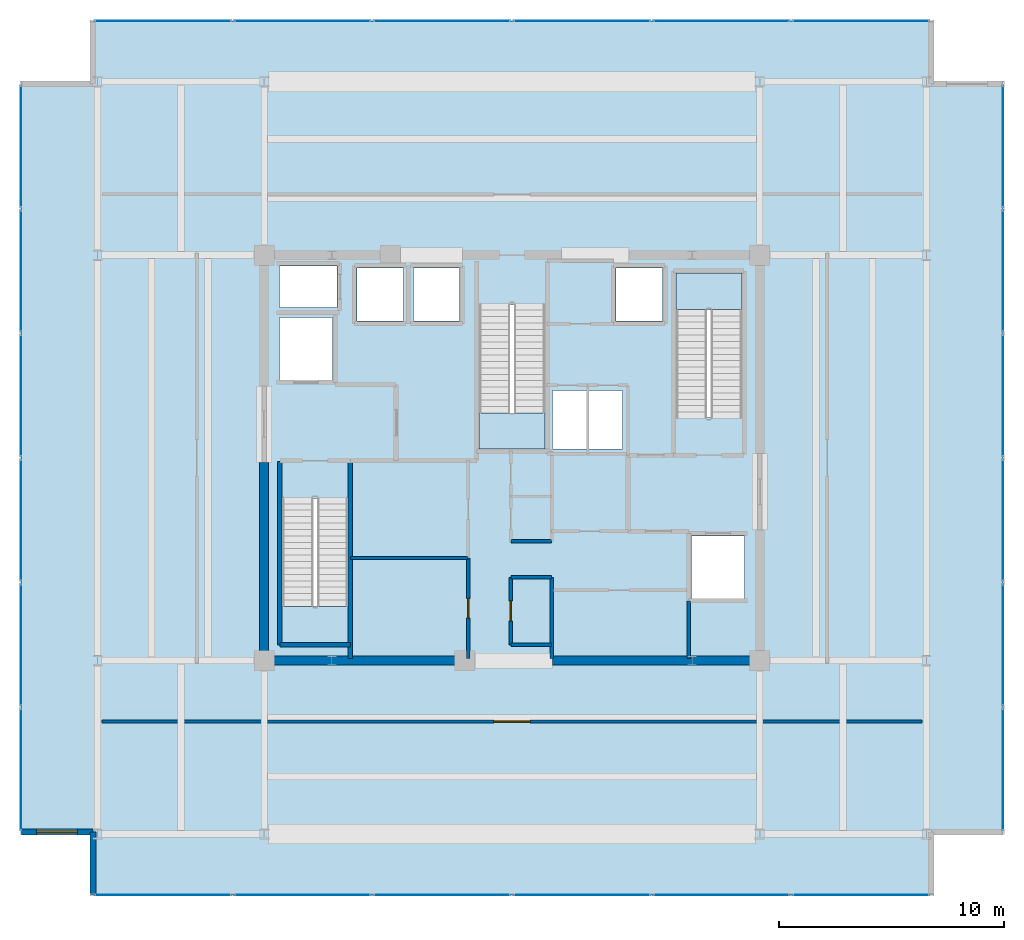
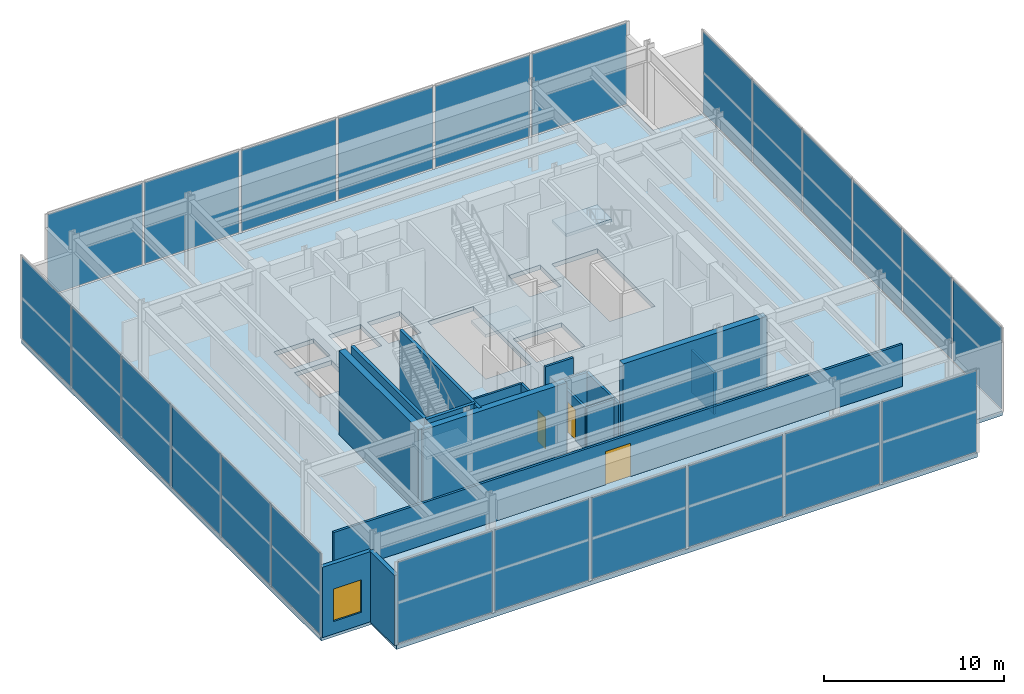
# One storey, part 17 of 21: 24 plates, 17 walls, 4 slabs, 3 doors, 1 window, 4 openings, 7 elements without a shape of their own.
"""IFC4 building model written with IfcOpenShell, lengths in metres."""

from ifc_helpers import new_model, si_unit, direction, frame, frame_2d, origin, origin_2d, place, context, subcontext, project, spatial, polyline, rectangle, outline, extrude, material, layer, layer_set, type_object, element, fill, aggregate, save


model = new_model("IFC4")

# Units and contexts
model_context = context("Model", 3, precision=1e-05, world=origin(), true_north=direction((0.0, 1.0)))
body_context = subcontext(model_context, "Body", "Model", "MODEL_VIEW")
ifc_project = project(units=[si_unit("LENGTHUNIT", "METRE"), si_unit("AREAUNIT", "SQUARE_METRE"), si_unit("VOLUMEUNIT", "CUBIC_METRE"), si_unit("PLANEANGLEUNIT", "RADIAN"), si_unit("MASSUNIT", "GRAM", prefix="KILO")], contexts=[model_context])

# Site, building, storey
site_placement = place(None, origin())
site = spatial("IfcSite", under=ifc_project, at=site_placement, CompositionType="ELEMENT")
building_placement = place(site_placement, origin())
building = spatial("IfcBuilding", under=site, at=building_placement, Name="Kovane Verandah Tower", CompositionType="ELEMENT")
storey_placement = place(building_placement, frame((0.0, 0.0, 342.800048828125)))
storey = spatial("IfcBuildingStorey", under=building, at=storey_placement, Name="L80", CompositionType="ELEMENT", Elevation=342.800048828125)

# Curtain wall, plates
ifc_material_1 = material(Name="Champagne Anodised Aluminium Frame with Low-E Clear Laminated Glass", Category="aluminium")
curtain_wall_type = type_object("IfcCurtainWallType", Name="CW-SYS-06-CROWN", PredefinedType="NOTDEFINED", material=ifc_material_1)
curtain_wall_1_placement = place(storey_placement, origin())
curtain_wall_1 = element("IfcCurtainWall", 1, at=curtain_wall_1_placement, inside=storey, type_object=curtain_wall_type, Name="L80 S Unitised Curtain Wall", PredefinedType="NOTDEFINED")
ifc_material_2 = material(Name="Clear Low-E Laminated Double Glazing", Category="glass")
ifc_layer_1 = layer(ifc_material_2, 0.031982421875)
ifc_layer_set_1 = layer_set([ifc_layer_1], Name="Clear Low-E Laminated Double Glazing")
plate_type = type_object("IfcPlateType", Name="PL-CW-VIS-32", PredefinedType="CURTAIN_PANEL", material=ifc_layer_set_1)
plate_1_placement = place(storey_placement, frame((24.5, 8.10009765625, 0.099853515625), z_axis=(0.0, 0.0, 1.0), x_axis=(1.0, 0.0, 0.0)))
plate_1 = element("IfcPlate", 2, at=plate_1_placement, type_object=plate_type, Name="L80 S Unitised Curtain Wall Full-Height Vision Panel 1", PredefinedType="CURTAIN_PANEL", context=body_context, shape_type="SweptSolid", body=[
    extrude(rectangle(XDim=6.06005859375, YDim=0.031982421875, at=origin_2d()), origin(), (0.0, 0.0, 1.0), 5.5),
])
plate_2_placement = place(storey_placement, frame((30.699951171875, 8.10009765625, 0.099853515625), z_axis=(0.0, 0.0, 1.0), x_axis=(1.0, 0.0, 0.0)))
plate_2 = element("IfcPlate", 3, at=plate_2_placement, type_object=plate_type, Name="L80 S Unitised Curtain Wall Full-Height Vision Panel 2", PredefinedType="CURTAIN_PANEL", context=body_context, shape_type="SweptSolid", body=[
    extrude(rectangle(XDim=6.06005859375, YDim=0.031982421875, at=origin_2d()), origin(), (0.0, 0.0, 1.0), 5.5),
])
plate_3_placement = place(storey_placement, frame((36.89990234375, 8.10009765625, 0.099853515625), z_axis=(0.0, 0.0, 1.0), x_axis=(1.0, 0.0, 0.0)))
plate_3 = element("IfcPlate", 4, at=plate_3_placement, type_object=plate_type, Name="L80 S Unitised Curtain Wall Full-Height Vision Panel 3", PredefinedType="CURTAIN_PANEL", context=body_context, shape_type="SweptSolid", body=[
    extrude(rectangle(XDim=6.06005859375, YDim=0.031982421875, at=origin_2d()), origin(), (0.0, 0.0, 1.0), 5.5),
])
plate_4_placement = place(storey_placement, frame((43.10009765625, 8.10009765625, 0.099853515625), z_axis=(0.0, 0.0, 1.0), x_axis=(1.0, 0.0, 0.0)))
plate_4 = element("IfcPlate", 5, at=plate_4_placement, type_object=plate_type, Name="L80 S Unitised Curtain Wall Full-Height Vision Panel 4", PredefinedType="CURTAIN_PANEL", context=body_context, shape_type="SweptSolid", body=[
    extrude(rectangle(XDim=6.06005859375, YDim=0.031982421875, at=origin_2d()), origin(), (0.0, 0.0, 1.0), 5.5),
])
plate_5_placement = place(storey_placement, frame((49.300048828125, 8.10009765625, 0.099853515625), z_axis=(0.0, 0.0, 1.0), x_axis=(1.0, 0.0, 0.0)))
plate_5 = element("IfcPlate", 6, at=plate_5_placement, type_object=plate_type, Name="L80 S Unitised Curtain Wall Full-Height Vision Panel 5", PredefinedType="CURTAIN_PANEL", context=body_context, shape_type="SweptSolid", body=[
    extrude(rectangle(XDim=6.06005859375, YDim=0.031982421875, at=origin_2d()), origin(), (0.0, 0.0, 1.0), 5.5),
])
plate_6_placement = place(storey_placement, frame((55.5, 8.10009765625, 0.099853515625), z_axis=(0.0, 0.0, 1.0), x_axis=(1.0, 0.0, 0.0)))
plate_6 = element("IfcPlate", 7, at=plate_6_placement, type_object=plate_type, Name="L80 S Unitised Curtain Wall Full-Height Vision Panel 6", PredefinedType="CURTAIN_PANEL", context=body_context, shape_type="SweptSolid", body=[
    extrude(rectangle(XDim=6.06005859375, YDim=0.031982421875, at=origin_2d()), origin(), (0.0, 0.0, 1.0), 5.5),
])
aggregate(curtain_wall_1, [plate_1, plate_2, plate_3, plate_4, plate_5, plate_6])

curtain_wall_2_placement = place(storey_placement, origin())
curtain_wall_2 = element("IfcCurtainWall", 8, at=curtain_wall_2_placement, inside=storey, type_object=curtain_wall_type, Name="L80 E Unitised Curtain Wall", PredefinedType="NOTDEFINED")
plate_7_placement = place(storey_placement, frame((61.800048828125, 13.666748046875, 0.099853515625), z_axis=(0.0, 0.0, 1.0), x_axis=(0.0, 1.0, 0.0)))
plate_7 = element("IfcPlate", 9, at=plate_7_placement, type_object=plate_type, Name="L80 E Unitised Curtain Wall Full-Height Vision Panel 1", PredefinedType="CURTAIN_PANEL", context=body_context, shape_type="SweptSolid", body=[
    extrude(rectangle(XDim=5.393310546875, YDim=0.031982421875, at=origin_2d()), origin(), (0.0, 0.0, 1.0), 5.5),
])
plate_8_placement = place(storey_placement, frame((61.800048828125, 19.199951171875, 0.099853515625), z_axis=(0.0, 0.0, 1.0), x_axis=(0.0, 1.0, 0.0)))
plate_8 = element("IfcPlate", 10, at=plate_8_placement, type_object=plate_type, Name="L80 E Unitised Curtain Wall Full-Height Vision Panel 2", PredefinedType="CURTAIN_PANEL", context=body_context, shape_type="SweptSolid", body=[
    extrude(rectangle(XDim=5.393310546875, YDim=0.031982421875, at=origin_2d()), origin(), (0.0, 0.0, 1.0), 5.5),
])
plate_9_placement = place(storey_placement, frame((61.800048828125, 24.7333984375, 0.099853515625), z_axis=(0.0, 0.0, 1.0), x_axis=(0.0, 1.0, 0.0)))
plate_9 = element("IfcPlate", 11, at=plate_9_placement, type_object=plate_type, Name="L80 E Unitised Curtain Wall Full-Height Vision Panel 3", PredefinedType="CURTAIN_PANEL", context=body_context, shape_type="SweptSolid", body=[
    extrude(rectangle(XDim=5.393310546875, YDim=0.031982421875, at=origin_2d()), origin(), (0.0, 0.0, 1.0), 5.5),
])
plate_10_placement = place(storey_placement, frame((61.800048828125, 30.2666015625, 0.099853515625), z_axis=(0.0, 0.0, 1.0), x_axis=(0.0, 1.0, 0.0)))
plate_10 = element("IfcPlate", 12, at=plate_10_placement, type_object=plate_type, Name="L80 E Unitised Curtain Wall Full-Height Vision Panel 4", PredefinedType="CURTAIN_PANEL", context=body_context, shape_type="SweptSolid", body=[
    extrude(rectangle(XDim=5.393310546875, YDim=0.031982421875, at=origin_2d()), origin(), (0.0, 0.0, 1.0), 5.5),
])
plate_11_placement = place(storey_placement, frame((61.800048828125, 35.800048828125, 0.099853515625), z_axis=(0.0, 0.0, 1.0), x_axis=(0.0, 1.0, 0.0)))
plate_11 = element("IfcPlate", 13, at=plate_11_placement, type_object=plate_type, Name="L80 E Unitised Curtain Wall Full-Height Vision Panel 5", PredefinedType="CURTAIN_PANEL", context=body_context, shape_type="SweptSolid", body=[
    extrude(rectangle(XDim=5.393310546875, YDim=0.031982421875, at=origin_2d()), origin(), (0.0, 0.0, 1.0), 5.5),
])
plate_12_placement = place(storey_placement, frame((61.800048828125, 41.333251953125, 0.099853515625), z_axis=(0.0, 0.0, 1.0), x_axis=(0.0, 1.0, 0.0)))
plate_12 = element("IfcPlate", 14, at=plate_12_placement, type_object=plate_type, Name="L80 E Unitised Curtain Wall Full-Height Vision Panel 6", PredefinedType="CURTAIN_PANEL", context=body_context, shape_type="SweptSolid", body=[
    extrude(rectangle(XDim=5.393310546875, YDim=0.031982421875, at=origin_2d()), origin(), (0.0, 0.0, 1.0), 5.5),
])
aggregate(curtain_wall_2, [plate_7, plate_8, plate_9, plate_10, plate_11, plate_12])

curtain_wall_3_placement = place(storey_placement, origin())
curtain_wall_3 = element("IfcCurtainWall", 15, at=curtain_wall_3_placement, inside=storey, type_object=curtain_wall_type, Name="L80 N Unitised Curtain Wall", PredefinedType="NOTDEFINED")
plate_13_placement = place(storey_placement, frame((55.5, 46.89990234375, 0.099853515625), z_axis=(0.0, 0.0, 1.0), x_axis=(-1.0, 0.0, 0.0)))
plate_13 = element("IfcPlate", 16, at=plate_13_placement, type_object=plate_type, Name="L80 N Unitised Curtain Wall Full-Height Vision Panel 1", PredefinedType="CURTAIN_PANEL", context=body_context, shape_type="SweptSolid", body=[
    extrude(rectangle(XDim=6.06005859375, YDim=0.031982421875, at=origin_2d()), origin(), (0.0, 0.0, 1.0), 5.5),
])
plate_14_placement = place(storey_placement, frame((49.300048828125, 46.89990234375, 0.099853515625), z_axis=(0.0, 0.0, 1.0), x_axis=(-1.0, 0.0, 0.0)))
plate_14 = element("IfcPlate", 17, at=plate_14_placement, type_object=plate_type, Name="L80 N Unitised Curtain Wall Full-Height Vision Panel 2", PredefinedType="CURTAIN_PANEL", context=body_context, shape_type="SweptSolid", body=[
    extrude(rectangle(XDim=6.06005859375, YDim=0.031982421875, at=origin_2d()), origin(), (0.0, 0.0, 1.0), 5.5),
])
plate_15_placement = place(storey_placement, frame((43.10009765625, 46.89990234375, 0.099853515625), z_axis=(0.0, 0.0, 1.0), x_axis=(-1.0, 0.0, 0.0)))
plate_15 = element("IfcPlate", 18, at=plate_15_placement, type_object=plate_type, Name="L80 N Unitised Curtain Wall Full-Height Vision Panel 3", PredefinedType="CURTAIN_PANEL", context=body_context, shape_type="SweptSolid", body=[
    extrude(rectangle(XDim=6.06005859375, YDim=0.031982421875, at=origin_2d()), origin(), (0.0, 0.0, 1.0), 5.5),
])
plate_16_placement = place(storey_placement, frame((36.89990234375, 46.89990234375, 0.099853515625), z_axis=(0.0, 0.0, 1.0), x_axis=(-1.0, 0.0, 0.0)))
plate_16 = element("IfcPlate", 19, at=plate_16_placement, type_object=plate_type, Name="L80 N Unitised Curtain Wall Full-Height Vision Panel 4", PredefinedType="CURTAIN_PANEL", context=body_context, shape_type="SweptSolid", body=[
    extrude(rectangle(XDim=6.06005859375, YDim=0.031982421875, at=origin_2d()), origin(), (0.0, 0.0, 1.0), 5.5),
])
plate_17_placement = place(storey_placement, frame((30.699951171875, 46.89990234375, 0.099853515625), z_axis=(0.0, 0.0, 1.0), x_axis=(-1.0, 0.0, 0.0)))
plate_17 = element("IfcPlate", 20, at=plate_17_placement, type_object=plate_type, Name="L80 N Unitised Curtain Wall Full-Height Vision Panel 5", PredefinedType="CURTAIN_PANEL", context=body_context, shape_type="SweptSolid", body=[
    extrude(rectangle(XDim=6.06005859375, YDim=0.031982421875, at=origin_2d()), origin(), (0.0, 0.0, 1.0), 5.5),
])
plate_18_placement = place(storey_placement, frame((24.5, 46.89990234375, 0.099853515625), z_axis=(0.0, 0.0, 1.0), x_axis=(-1.0, 0.0, 0.0)))
plate_18 = element("IfcPlate", 21, at=plate_18_placement, type_object=plate_type, Name="L80 N Unitised Curtain Wall Full-Height Vision Panel 6", PredefinedType="CURTAIN_PANEL", context=body_context, shape_type="SweptSolid", body=[
    extrude(rectangle(XDim=6.06005859375, YDim=0.031982421875, at=origin_2d()), origin(), (0.0, 0.0, 1.0), 5.5),
])
aggregate(curtain_wall_3, [plate_13, plate_14, plate_15, plate_16, plate_17, plate_18])

curtain_wall_4_placement = place(storey_placement, origin())
curtain_wall_4 = element("IfcCurtainWall", 22, at=curtain_wall_4_placement, inside=storey, type_object=curtain_wall_type, Name="L80 W Unitised Curtain Wall", PredefinedType="NOTDEFINED")
plate_19_placement = place(storey_placement, frame((18.199951171875, 41.333251953125, 0.099853515625), z_axis=(0.0, 0.0, 1.0), x_axis=(0.0, -1.0, 0.0)))
plate_19 = element("IfcPlate", 23, at=plate_19_placement, type_object=plate_type, Name="L80 W Unitised Curtain Wall Full-Height Vision Panel 1", PredefinedType="CURTAIN_PANEL", context=body_context, shape_type="SweptSolid", body=[
    extrude(rectangle(XDim=5.393310546875, YDim=0.031982421875, at=origin_2d()), origin(), (0.0, 0.0, 1.0), 5.5),
])
plate_20_placement = place(storey_placement, frame((18.199951171875, 35.800048828125, 0.099853515625), z_axis=(0.0, 0.0, 1.0), x_axis=(0.0, -1.0, 0.0)))
plate_20 = element("IfcPlate", 24, at=plate_20_placement, type_object=plate_type, Name="L80 W Unitised Curtain Wall Full-Height Vision Panel 2", PredefinedType="CURTAIN_PANEL", context=body_context, shape_type="SweptSolid", body=[
    extrude(rectangle(XDim=5.393310546875, YDim=0.031982421875, at=origin_2d()), origin(), (0.0, 0.0, 1.0), 5.5),
])
plate_21_placement = place(storey_placement, frame((18.199951171875, 30.2666015625, 0.099853515625), z_axis=(0.0, 0.0, 1.0), x_axis=(0.0, -1.0, 0.0)))
plate_21 = element("IfcPlate", 25, at=plate_21_placement, type_object=plate_type, Name="L80 W Unitised Curtain Wall Full-Height Vision Panel 3", PredefinedType="CURTAIN_PANEL", context=body_context, shape_type="SweptSolid", body=[
    extrude(rectangle(XDim=5.393310546875, YDim=0.031982421875, at=origin_2d()), origin(), (0.0, 0.0, 1.0), 5.5),
])
plate_22_placement = place(storey_placement, frame((18.199951171875, 24.7333984375, 0.099853515625), z_axis=(0.0, 0.0, 1.0), x_axis=(0.0, -1.0, 0.0)))
plate_22 = element("IfcPlate", 26, at=plate_22_placement, type_object=plate_type, Name="L80 W Unitised Curtain Wall Full-Height Vision Panel 4", PredefinedType="CURTAIN_PANEL", context=body_context, shape_type="SweptSolid", body=[
    extrude(rectangle(XDim=5.393310546875, YDim=0.031982421875, at=origin_2d()), origin(), (0.0, 0.0, 1.0), 5.5),
])
plate_23_placement = place(storey_placement, frame((18.199951171875, 19.199951171875, 0.099853515625), z_axis=(0.0, 0.0, 1.0), x_axis=(0.0, -1.0, 0.0)))
plate_23 = element("IfcPlate", 27, at=plate_23_placement, type_object=plate_type, Name="L80 W Unitised Curtain Wall Full-Height Vision Panel 5", PredefinedType="CURTAIN_PANEL", context=body_context, shape_type="SweptSolid", body=[
    extrude(rectangle(XDim=5.393310546875, YDim=0.031982421875, at=origin_2d()), origin(), (0.0, 0.0, 1.0), 5.5),
])
plate_24_placement = place(storey_placement, frame((18.199951171875, 13.666748046875, 0.099853515625), z_axis=(0.0, 0.0, 1.0), x_axis=(0.0, -1.0, 0.0)))
plate_24 = element("IfcPlate", 28, at=plate_24_placement, type_object=plate_type, Name="L80 W Unitised Curtain Wall Full-Height Vision Panel 6", PredefinedType="CURTAIN_PANEL", context=body_context, shape_type="SweptSolid", body=[
    extrude(rectangle(XDim=5.393310546875, YDim=0.031982421875, at=origin_2d()), origin(), (0.0, 0.0, 1.0), 5.5),
])
aggregate(curtain_wall_4, [plate_19, plate_20, plate_21, plate_22, plate_23, plate_24])

# Slab
ifc_material_3 = material(Name="Concrete C60/75", Category="concrete")
ifc_layer_2 = layer(ifc_material_3, 0.300048828125)
ifc_layer_set_2 = layer_set([ifc_layer_2], Name="Concrete C60/75")
slab_type_1 = type_object("IfcSlabType", Name="SL-HVY-300", PredefinedType="FLOOR", material=ifc_layer_set_2)
slab_1_placement = place(storey_placement, frame((0.0, 0.0, -0.300048828125)))
element("IfcSlab", 29, at=slab_1_placement, inside=storey, type_object=slab_type_1, Name="L80 Structural Floor Slab", PredefinedType="FLOOR", context=body_context, shape_type="SweptSolid", body=[
    extrude(outline(polyline([(21.39990234375, 8.10009765625), (58.60009765625, 8.10009765625), (58.60009765625, 10.89990234375), (61.800048828125, 10.89990234375), (61.800048828125, 44.10009765625), (58.60009765625, 44.10009765625), (58.60009765625, 46.89990234375), (21.39990234375, 46.89990234375), (21.39990234375, 44.10009765625), (18.199951171875, 44.10009765625), (18.199951171875, 10.89990234375), (21.39990234375, 10.89990234375), (21.39990234375, 8.10009765625)]), holes=[polyline([(29.800048828125, 19.300048828125), (32.719970703125, 19.300048828125), (32.719970703125, 25.705078125), (29.800048828125, 25.705078125), (29.800048828125, 19.300048828125)]), polyline([(47.280029296875, 29.294921875), (50.199951171875, 29.294921875), (50.199951171875, 35.699951171875), (47.280029296875, 35.699951171875), (47.280029296875, 29.294921875)]), polyline([(38.5400390625, 27.89990234375), (41.4599609375, 27.89990234375), (41.4599609375, 34.304931640625), (38.5400390625, 34.304931640625), (38.5400390625, 27.89990234375)]), polyline([(29.669921875, 30.969970703125), (32.030029296875, 30.969970703125), (32.030029296875, 33.72998046875), (29.669921875, 33.72998046875), (29.669921875, 30.969970703125)]), polyline([(47.969970703125, 21.27001953125), (50.330078125, 21.27001953125), (50.330078125, 24.030029296875), (47.969970703125, 24.030029296875), (47.969970703125, 21.27001953125)]), polyline([(29.669921875, 34.169921875), (32.22998046875, 34.169921875), (32.22998046875, 36.030029296875), (29.669921875, 36.030029296875), (29.669921875, 34.169921875)]), polyline([(33.1201171875, 33.570068359375), (35.179931640625, 33.570068359375), (35.179931640625, 35.929931640625), (33.1201171875, 35.929931640625), (33.1201171875, 33.570068359375)]), polyline([(35.6201171875, 33.570068359375), (37.679931640625, 33.570068359375), (37.679931640625, 35.929931640625), (35.6201171875, 35.929931640625), (35.6201171875, 33.570068359375)]), polyline([(44.6201171875, 33.570068359375), (46.679931640625, 33.570068359375), (46.679931640625, 35.929931640625), (44.6201171875, 35.929931640625), (44.6201171875, 33.570068359375)]), polyline([(41.800048828125, 27.89990234375), (44.89990234375, 27.89990234375), (44.89990234375, 30.5), (41.800048828125, 30.5), (41.800048828125, 27.89990234375)])]), origin(), (0.0, 0.0, 1.0), 0.300048828125),
])

# Stair, slab
ifc_material_4 = material(Name="Concrete C45/55", Category="concrete")
stair_type = type_object("IfcStairType", Name="ST-CORE-1380", PredefinedType="HALF_TURN_STAIR", material=ifc_material_4)
stair_1_placement = place(storey_placement, origin())
stair_1 = element("IfcStair", 30, at=stair_1_placement, inside=storey, type_object=stair_type, Name="L80 Exit Stair ST-01", PredefinedType="HALF_TURN_STAIR")
ifc_layer_3 = layer(ifc_material_4, 0.199951171875)
ifc_layer_set_3 = layer_set([ifc_layer_3], Name="Concrete C45/55")
slab_type_2 = type_object("IfcSlabType", Name="SL-LAND-200", PredefinedType="LANDING", material=ifc_layer_set_3)
slab_2_placement = place(storey_placement, frame((0.0, 0.0, 2.800048828125)))
slab_2 = element("IfcSlab", 31, at=slab_2_placement, type_object=slab_type_2, Name="ST-01 landing 1", PredefinedType="LANDING", context=body_context, shape_type="SweptSolid", body=[
    extrude(outline(polyline([(29.800048828125, 20.905029296875), (29.800048828125, 19.300048828125), (32.719970703125, 19.300048828125), (32.719970703125, 20.905029296875), (29.800048828125, 20.905029296875)])), origin(), (0.0, 0.0, 1.0), 0.199951171875),
])
aggregate(stair_1, [slab_2])

stair_2_placement = place(storey_placement, origin())
stair_2 = element("IfcStair", 32, at=stair_2_placement, inside=storey, type_object=stair_type, Name="L80 Exit Stair ST-02", PredefinedType="HALF_TURN_STAIR")
slab_3_placement = place(storey_placement, frame((0.0, 0.0, 2.800048828125)))
slab_3 = element("IfcSlab", 33, at=slab_3_placement, type_object=slab_type_2, Name="ST-02 landing 1", PredefinedType="LANDING", context=body_context, shape_type="SweptSolid", body=[
    extrude(outline(polyline([(50.199951171875, 34.094970703125), (50.199951171875, 35.699951171875), (47.280029296875, 35.699951171875), (47.280029296875, 34.094970703125), (50.199951171875, 34.094970703125)])), origin(), (0.0, 0.0, 1.0), 0.199951171875),
])
aggregate(stair_2, [slab_3])

stair_3_placement = place(storey_placement, origin())
stair_3 = element("IfcStair", 34, at=stair_3_placement, inside=storey, type_object=stair_type, Name="L80 Exit Stair ST-03", PredefinedType="HALF_TURN_STAIR")
slab_4_placement = place(storey_placement, frame((0.0, 0.0, 2.800048828125)))
slab_4 = element("IfcSlab", 35, at=slab_4_placement, type_object=slab_type_2, Name="ST-03 landing 1", PredefinedType="LANDING", context=body_context, shape_type="SweptSolid", body=[
    extrude(outline(polyline([(38.5400390625, 29.5048828125), (38.5400390625, 27.89990234375), (41.4599609375, 27.89990234375), (41.4599609375, 29.5048828125), (38.5400390625, 29.5048828125)])), origin(), (0.0, 0.0, 1.0), 0.199951171875),
])
aggregate(stair_3, [slab_4])

# Walls
ifc_material_5 = material(Name="Fire-Rated Gypsum Stud Partition", Category="gypsum")
ifc_layer_4 = layer(ifc_material_5, 0.14990234375)
ifc_layer_set_4 = layer_set([ifc_layer_4], Name="Fire-Rated Gypsum Stud Partition")
wall_type_1 = type_object("IfcWallType", Name="WL-COR-150", PredefinedType="PARTITIONING", material=ifc_layer_set_4)
for number, where, z_axis, x_axis, name in (
    (36, (39.949951171875, 19.199951171875, 0.0), (0.0, 0.0, 1.0), (1.0, 0.0, 0.0), "L80 Central Core Strip South Wall"),
    (37, (39.949951171875, 22.199951171875, 0.0), (0.0, 0.0, 1.0), (1.0, 0.0, 0.0), "L80 Core Cross-Passage South Wall"),
    (38, (39.949951171875, 23.800048828125, 0.0), (0.0, 0.0, 1.0), (1.0, 0.0, 0.0), "L80 Core Cross-Passage North Wall"),
):
    element("IfcWall", number, at=place(storey_placement, frame(where, z_axis=z_axis, x_axis=x_axis)), inside=storey, type_object=wall_type_1, Name=name, PredefinedType="PARTITIONING", context=body_context, shape_type="SweptSolid", body=[
        extrude(rectangle(XDim=1.81005859375, YDim=0.14990234375, at=frame_2d((0.905029296875, 0.0))), origin(), (0.0, 0.0, 1.0), 2.849853515625),
    ])
wall_1_placement = place(storey_placement, frame((41.760009765625, 18.60009765625, 0.0), z_axis=(0.0, 0.0, 1.0), x_axis=(0.0, 1.0, 0.0)))
element("IfcWall", 39, at=wall_1_placement, inside=storey, type_object=wall_type_1, Name="L80 Central Core Strip Lower East Wall", PredefinedType="PARTITIONING", context=body_context, shape_type="SweptSolid", body=[
    extrude(rectangle(XDim=3.599853515625, YDim=0.14990234375, at=frame_2d((1.7998046875, 0.0))), origin(), (0.0, 0.0, 1.0), 2.849853515625),
])

# Wall, opening, door
wall_2_placement = place(storey_placement, frame((39.949951171875, 19.199951171875, 0.0), z_axis=(0.0, 0.0, 1.0), x_axis=(0.0, 1.0, 0.0)))
wall_2 = element("IfcWall", 40, at=wall_2_placement, inside=storey, type_object=wall_type_1, Name="L80 Male Toilet Partition", PredefinedType="PARTITIONING", context=body_context, shape_type="SweptSolid", body=[
    extrude(rectangle(XDim=3.0, YDim=0.14990234375, at=frame_2d((1.5, 0.0))), origin(), (0.0, 0.0, 1.0), 2.849853515625),
])
opening_1_placement = place(wall_2_placement, frame((1.050048828125, 0.0, 0.0)))
opening_1 = element("IfcOpeningElement", 41, at=opening_1_placement, cuts=wall_2, Name="Opening DR-L80-022", PredefinedType="OPENING", context=body_context, shape_type="SweptSolid", body=[
    extrude(rectangle(XDim=0.89990234375, YDim=2.10009765625, at=frame_2d((0.449951171875, 1.050048828125))), frame((0.0, 0.074951171875, 0.0), z_axis=(0.0, -1.0, 0.0), x_axis=(1.0, 0.0, 0.0)), (0.0, 0.0, 1.0), 0.14990234375),
])
ifc_material_6 = material(Name="Moisture-Resistant Laminate Washroom Door", Category="wood")
door_type_1 = type_object("IfcDoorType", Name="DR-WC-900", OperationType="SINGLE_SWING_LEFT", PredefinedType="DOOR", material=ifc_material_6)
door_1_placement = place(opening_1_placement, origin())
door_1 = element("IfcDoor", 42, at=door_1_placement, inside=storey, type_object=door_type_1, Name="L80 Male Toilet Door", OperationType="SINGLE_SWING_RIGHT", OverallHeight=2.10009765625, OverallWidth=0.89990234375, PredefinedType="DOOR", context=body_context, shape_type="SweptSolid", body=[
    extrude(rectangle(XDim=0.89990234375, YDim=2.10009765625, at=frame_2d((0.449951171875, 1.050048828125))), frame((0.0, 0.02490234375, 0.0), z_axis=(0.0, -1.0, 0.0), x_axis=(1.0, 0.0, 0.0)), (0.0, 0.0, 1.0), 0.050048828125),
])
fill(opening_1, door_1)

wall_3_placement = place(storey_placement, frame((38.050048828125, 18.60009765625, 0.0), z_axis=(0.0, 0.0, 1.0), x_axis=(0.0, 1.0, 0.0)))
wall_3 = element("IfcWall", 43, at=wall_3_placement, inside=storey, type_object=wall_type_1, Name="L80 Core Mechanical Fan Plant Room Partition", PredefinedType="PARTITIONING", context=body_context, shape_type="SweptSolid", body=[
    extrude(rectangle(XDim=4.4599609375, YDim=0.14990234375, at=frame_2d((2.22998046875, 0.0))), origin(), (0.0, 0.0, 1.0), 2.849853515625),
])
opening_2_placement = place(wall_3_placement, frame((1.7900390625, 0.0, 0.0)))
opening_2 = element("IfcOpeningElement", 44, at=opening_2_placement, cuts=wall_3, Name="Opening DR-L80-009", PredefinedType="OPENING", context=body_context, shape_type="SweptSolid", body=[
    extrude(rectangle(XDim=0.8798828125, YDim=2.10009765625, at=frame_2d((0.43994140625, 1.050048828125))), frame((0.0, 0.074951171875, 0.0), z_axis=(0.0, -1.0, 0.0), x_axis=(1.0, 0.0, 0.0)), (0.0, 0.0, 1.0), 0.14990234375),
])
ifc_material_7 = material(Name="Fire-Rated Steel Riser Access Door", Category="steel")
door_type_2 = type_object("IfcDoorType", Name="DR-RISER-880", OperationType="SINGLE_SWING_LEFT", PredefinedType="DOOR", material=ifc_material_7)
door_2_placement = place(opening_2_placement, origin())
door_2 = element("IfcDoor", 45, at=door_2_placement, inside=storey, type_object=door_type_2, Name="L80 Core Mechanical Fan Plant Room Door", OperationType="SINGLE_SWING_LEFT", OverallHeight=2.10009765625, OverallWidth=0.8798828125, PredefinedType="DOOR", context=body_context, shape_type="SweptSolid", body=[
    extrude(rectangle(XDim=0.8798828125, YDim=2.10009765625, at=frame_2d((0.43994140625, 1.050048828125))), frame((0.0, 0.02490234375, 0.0), z_axis=(0.0, -1.0, 0.0), x_axis=(1.0, 0.0, 0.0)), (0.0, 0.0, 1.0), 0.050048828125),
])
fill(opening_2, door_2)

# Wall
wall_4_placement = place(storey_placement, frame((47.85009765625, 18.60009765625, 0.0), z_axis=(0.0, 0.0, 1.0), x_axis=(0.0, 1.0, 0.0)))
element("IfcWall", 46, at=wall_4_placement, inside=storey, type_object=wall_type_1, Name="L80 East Core Support East Wall", PredefinedType="PARTITIONING", context=body_context, shape_type="SweptSolid", body=[
    extrude(rectangle(XDim=2.539794921875, YDim=0.14990234375, at=frame_2d((1.27001953125, 0.0))), origin(), (0.0, 0.0, 1.0), 2.849853515625),
])

# Wall, opening, door
wall_5_placement = place(storey_placement, frame((21.800048828125, 15.800048828125, 0.0), z_axis=(0.0, 0.0, 1.0), x_axis=(1.0, 0.0, 0.0)))
wall_5 = element("IfcWall", 47, at=wall_5_placement, inside=storey, type_object=wall_type_1, Name="L80 Glazed Tuned Mass Damper Plant Chamber South Corridor Partition", PredefinedType="PARTITIONING", context=body_context, shape_type="SweptSolid", body=[
    extrude(rectangle(XDim=36.39990234375, YDim=0.14990234375, at=frame_2d((18.199951171875, 0.0))), origin(), (0.0, 0.0, 1.0), 2.849853515625),
])
opening_3_placement = place(wall_5_placement, frame((17.39990234375, 0.0, 0.0)))
opening_3 = element("IfcOpeningElement", 48, at=opening_3_placement, cuts=wall_5, Name="Opening DR-L80-019", PredefinedType="OPENING", context=body_context, shape_type="SweptSolid", body=[
    extrude(rectangle(XDim=1.60009765625, YDim=2.25, at=frame_2d((0.800048828125, 1.125))), frame((0.0, 0.074951171875, 0.0), z_axis=(0.0, -1.0, 0.0), x_axis=(1.0, 0.0, 0.0)), (0.0, 0.0, 1.0), 0.14990234375),
])
ifc_material_8 = material(Name="Louvred Acoustic Steel Double Plant Door", Category="steel")
door_type_3 = type_object("IfcDoorType", Name="DR-PLANT-1600", OperationType="DOUBLE_DOOR_SINGLE_SWING", PredefinedType="DOOR", material=ifc_material_8)
door_3_placement = place(opening_3_placement, origin())
door_3 = element("IfcDoor", 49, at=door_3_placement, inside=storey, type_object=door_type_3, Name="L80 Glazed Tuned Mass Damper Plant Chamber South Entrance Door", OperationType="DOUBLE_DOOR_SINGLE_SWING", OverallHeight=2.25, OverallWidth=1.60009765625, PredefinedType="DOOR", context=body_context, shape_type="SweptSolid", body=[
    extrude(rectangle(XDim=1.60009765625, YDim=2.25, at=frame_2d((0.800048828125, 1.125))), frame((0.0, 0.02490234375, 0.0), z_axis=(0.0, -1.0, 0.0), x_axis=(1.0, 0.0, 0.0)), (0.0, 0.0, 1.0), 0.050048828125),
])
fill(opening_3, door_3)

# Walls
ifc_layer_5 = layer(ifc_material_3, 0.39990234375)
ifc_layer_set_5 = layer_set([ifc_layer_5], Name="Concrete C60/75")
wall_type_2 = type_object("IfcWallType", Name="WL-CORE-400", PredefinedType="SHEAR", material=ifc_layer_set_5)
for number, where, z_axis, x_axis, name in (
    (50, (29.0, 18.5, 0.0), (0.0, 0.0, 1.0), (1.0, 0.0, 0.0), "L80 Core Shear Wall CS-1"),
    (51, (41.800048828125, 18.5, 0.0), (0.0, 0.0, 1.0), (1.0, 0.0, 0.0), "L80 Core Shear Wall CS-2"),
):
    element("IfcWall", number, at=place(storey_placement, frame(where, z_axis=z_axis, x_axis=x_axis)), inside=storey, type_object=wall_type_2, Name=name, PredefinedType="SHEAR", context=body_context, shape_type="SweptSolid", body=[
        extrude(rectangle(XDim=9.199951171875, YDim=0.39990234375, at=frame_2d((4.60009765625, 0.0))), origin(), (0.0, 0.0, 1.0), 5.699951171875),
    ])
wall_6_placement = place(storey_placement, frame((29.0, 18.5, 0.0), z_axis=(0.0, 0.0, 1.0), x_axis=(0.0, 1.0, 0.0)))
element("IfcWall", 52, at=wall_6_placement, inside=storey, type_object=wall_type_2, Name="L80 Core Shear Wall CW-1", PredefinedType="SHEAR", context=body_context, shape_type="SweptSolid", body=[
    extrude(rectangle(XDim=8.800048828125, YDim=0.39990234375, at=frame_2d((4.39990234375, 0.0))), origin(), (0.0, 0.0, 1.0), 5.699951171875),
])
ifc_material_9 = material(Name="Acoustic Fire-Rated Gypsum Partition", Category="gypsum")
ifc_layer_6 = layer(ifc_material_9, 0.1201171875)
ifc_layer_set_6 = layer_set([ifc_layer_6], Name="Acoustic Fire-Rated Gypsum Partition")
wall_type_3 = type_object("IfcWallType", Name="WL-PART-120", PredefinedType="PARTITIONING", material=ifc_layer_set_6)
wall_7_placement = place(storey_placement, frame((32.820068359375, 23.06005859375, 0.0), z_axis=(0.0, 0.0, 1.0), x_axis=(1.0, 0.0, 0.0)))
element("IfcWall", 53, at=wall_7_placement, inside=storey, type_object=wall_type_3, Name="L80 Core Support Dividing Partition", PredefinedType="PARTITIONING", context=body_context, shape_type="SweptSolid", body=[
    extrude(rectangle(XDim=5.22998046875, YDim=0.1201171875, at=frame_2d((2.614990234375, 0.0))), origin(), (0.0, 0.0, 1.0), 2.849853515625),
])
ifc_layer_7 = layer(ifc_material_4, 0.199951171875)
ifc_layer_set_7 = layer_set([ifc_layer_7], Name="Concrete C45/55")
wall_type_4 = type_object("IfcWallType", Name="WL-SHAFT-200", PredefinedType="SOLIDWALL", material=ifc_layer_set_7)
wall_8_placement = place(storey_placement, frame((29.699951171875, 19.199951171875, 0.0), z_axis=(0.0, 0.0, 1.0), x_axis=(0.0, 1.0, 0.0)))
element("IfcWall", 54, at=wall_8_placement, inside=storey, type_object=wall_type_4, Name="W-L80-ST01-W", PredefinedType="SOLIDWALL", context=body_context, shape_type="SweptSolid", body=[
    extrude(rectangle(XDim=8.150146484375, YDim=0.199951171875, at=frame_2d((4.0751953125, 0.0))), origin(), (0.0, 0.0, 1.0), 5.699951171875),
])
wall_9_placement = place(storey_placement, frame((29.699951171875, 19.199951171875, 0.0), z_axis=(0.0, 0.0, 1.0), x_axis=(1.0, 0.0, 0.0)))
element("IfcWall", 55, at=wall_9_placement, inside=storey, type_object=wall_type_4, Name="W-L80-ST01-S", PredefinedType="SOLIDWALL", context=body_context, shape_type="SweptSolid", body=[
    extrude(rectangle(XDim=3.1201171875, YDim=0.199951171875, at=frame_2d((1.56005859375, 0.0))), origin(), (0.0, 0.0, 1.0), 5.699951171875),
])
wall_10_placement = place(storey_placement, frame((32.820068359375, 18.60009765625, 0.0), z_axis=(0.0, 0.0, 1.0), x_axis=(0.0, 1.0, 0.0)))
element("IfcWall", 56, at=wall_10_placement, inside=storey, type_object=wall_type_4, Name="W-L80-ST01-E", PredefinedType="SOLIDWALL", context=body_context, shape_type="SweptSolid", body=[
    extrude(rectangle(XDim=8.77978515625, YDim=0.199951171875, at=frame_2d((4.389892578125, 0.0))), origin(), (0.0, 0.0, 1.0), 5.699951171875),
])

# Wall, opening, window
ifc_material_10 = material(Name="Concrete C45/55 Insulated Spandrel Wall", Category="concrete")
ifc_layer_8 = layer(ifc_material_10, 0.260009765625)
ifc_layer_set_8 = layer_set([ifc_layer_8], Name="Concrete C45/55 Insulated Spandrel Wall")
wall_type_5 = type_object("IfcWallType", Name="WL-SPANDREL-260", PredefinedType="PARAPET", material=ifc_layer_set_8)
wall_11_placement = place(storey_placement, frame((18.199951171875, 10.89990234375, 0.0), z_axis=(0.0, 0.0, 1.0), x_axis=(1.0, 0.0, 0.0)))
wall_11 = element("IfcWall", 57, at=wall_11_placement, inside=storey, type_object=wall_type_5, Name="L80 SW Notch Cheek Wall 1", PredefinedType="PARAPET", context=body_context, shape_type="SweptSolid", body=[
    extrude(rectangle(XDim=3.199951171875, YDim=0.260009765625, at=frame_2d((1.60009765625, 0.0))), origin(), (0.0, 0.0, 1.0), 4.75341796875),
])
opening_4_placement = place(wall_11_placement, frame((0.699951171875, 0.0, 0.85009765625)))
opening_4 = element("IfcOpeningElement", 58, at=opening_4_placement, cuts=wall_11, Name="Opening W-03", PredefinedType="OPENING", context=body_context, shape_type="SweptSolid", body=[
    extrude(rectangle(XDim=1.800048828125, YDim=2.199951171875, at=frame_2d((0.89990234375, 1.10009765625))), frame((0.0, 0.1298828125, 0.0), z_axis=(0.0, -1.0, 0.0), x_axis=(1.0, 0.0, 0.0)), (0.0, 0.0, 1.0), 0.260009765625),
])
ifc_material_11 = material(Name="Clear Low-E Laminated Double Glazing in Anodised Frame", Category="glass")
window_type = type_object("IfcWindowType", Name="WN-NOTCH-1800x2200", PartitioningType="SINGLE_PANEL", PredefinedType="WINDOW", material=ifc_material_11)
window_placement = place(opening_4_placement, origin())
window = element("IfcWindow", 59, at=window_placement, inside=storey, type_object=window_type, Name="L80 SW Re-Entrant Corner Operable Window", OverallHeight=2.199951171875, OverallWidth=1.800048828125, PartitioningType="SINGLE_PANEL", PredefinedType="WINDOW", context=body_context, shape_type="SweptSolid", body=[
    extrude(rectangle(XDim=1.800048828125, YDim=2.199951171875, at=frame_2d((0.89990234375, 1.10009765625))), frame((0.0, 0.030029296875, 0.0), z_axis=(0.0, -1.0, 0.0), x_axis=(1.0, 0.0, 0.0)), (0.0, 0.0, 1.0), 0.06005859375),
])
fill(opening_4, window)

# Wall
wall_12_placement = place(storey_placement, frame((21.39990234375, 10.89990234375, 0.0), z_axis=(0.0, 0.0, 1.0), x_axis=(0.0, -1.0, 0.0)))
element("IfcWall", 60, at=wall_12_placement, inside=storey, type_object=wall_type_5, Name="L80 SW Notch Cheek Wall 2", PredefinedType="PARAPET", context=body_context, shape_type="SweptSolid", body=[
    extrude(rectangle(XDim=2.7998046875, YDim=0.260009765625, at=frame_2d((1.39990234375, 0.0))), origin(), (0.0, 0.0, 1.0), 4.75341796875),
])

save(model, "model.ifc")
